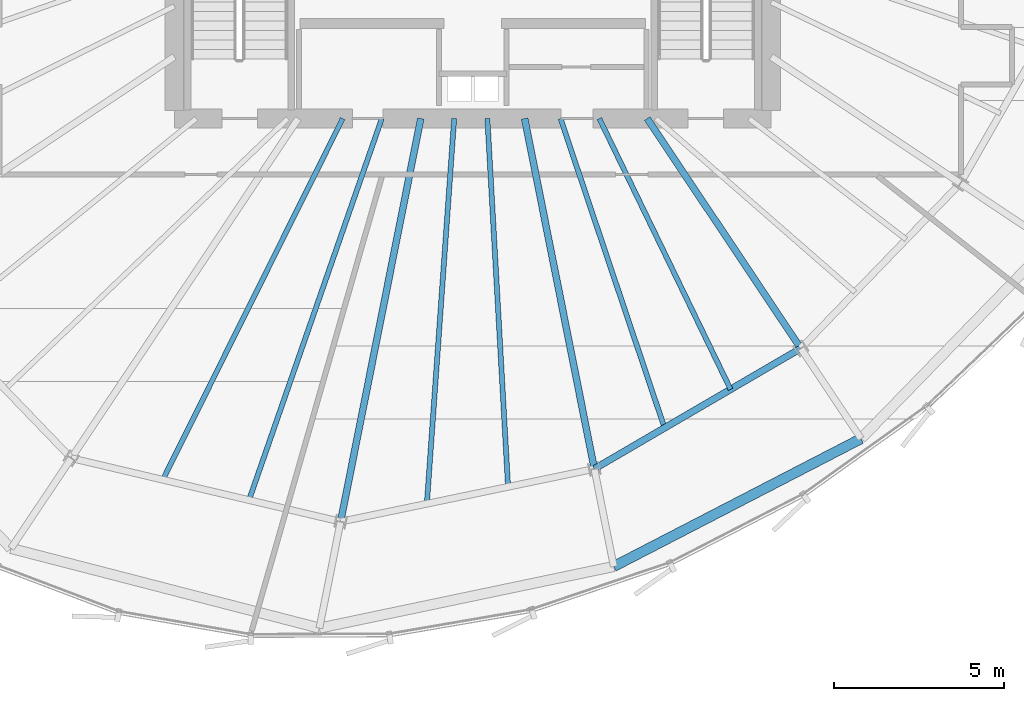
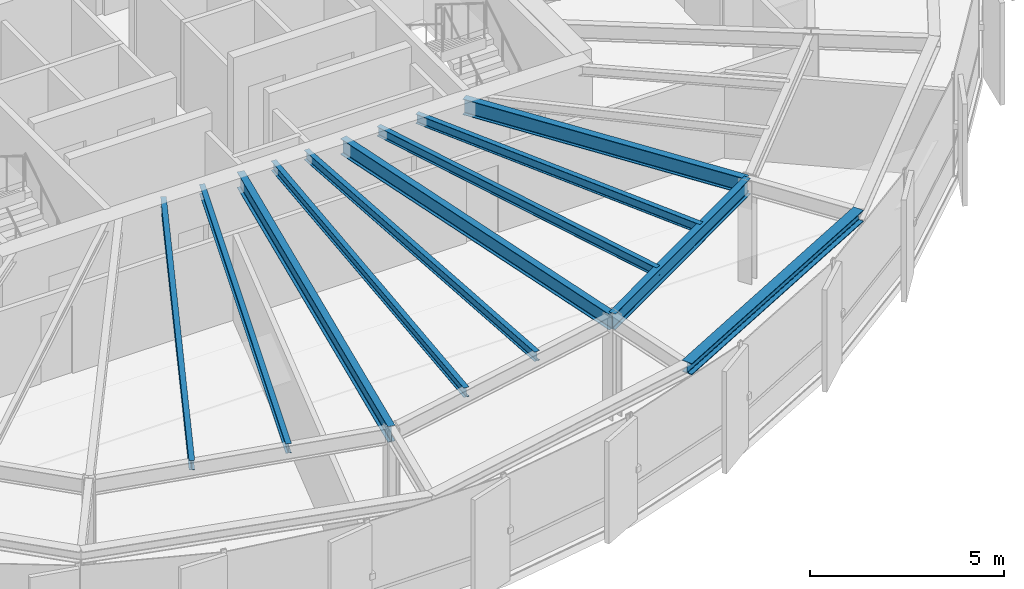
# One storey, part 8 of 35: 11 beams.
"""IFC4 building model written with IfcOpenShell, lengths in metres."""

from ifc_helpers import new_model, si_unit, direction, frame, origin, origin_2d, place, context, subcontext, project, spatial, i_section, extrude, source, transform, mapped, material, material_profile, profile_set, type_object, element, save


model = new_model("IFC4")

# Units and contexts
model_context = context("Model", 3, precision=1e-05, world=origin(), true_north=direction((0.0, 1.0)))
body_context = subcontext(model_context, "Body", "Model", "MODEL_VIEW")
ifc_project = project(units=[si_unit("LENGTHUNIT", "METRE"), si_unit("AREAUNIT", "SQUARE_METRE"), si_unit("VOLUMEUNIT", "CUBIC_METRE"), si_unit("PLANEANGLEUNIT", "RADIAN"), si_unit("MASSUNIT", "GRAM", prefix="KILO"), si_unit("THERMODYNAMICTEMPERATUREUNIT", "KELVIN")], contexts=[model_context])

# Site, building, storey
site_placement = place(None, origin())
site = spatial("IfcSite", under=ifc_project, at=site_placement, CompositionType="ELEMENT")
building_placement = place(site_placement, origin())
building = spatial("IfcBuilding", under=site, at=building_placement, Name="Kethvar Cultural Tower", CompositionType="ELEMENT")
storey_placement = place(building_placement, frame((0.0, 0.0, 193.89990234375)))
storey = spatial("IfcBuildingStorey", under=building, at=storey_placement, Name="L50", CompositionType="ELEMENT", Elevation=193.89990234375)

# Beams
ifc_material = material(Name="Steel S355J2", Category="steel")
ifc_material_profile_1 = material_profile(ifc_material, i_section(OverallWidth=0.199951171875, OverallDepth=0.5, WebThickness=0.01025390625, FlangeThickness=0.01611328125, FilletRadius=0.02099609375, at=origin_2d()), Name="Steel S355J2 — IPE500")
ifc_profile_set_1 = profile_set([ifc_material_profile_1], Name="Steel S355J2 — IPE500")
beam_type_1 = type_object("IfcBeamType", Name="BM-IPE500", PredefinedType="BEAM", material=ifc_profile_set_1)
shared_shape_1 = source(origin(), body_context, "Body", "SweptSolid", [
    extrude(i_section(OverallWidth=0.199951171875, OverallDepth=0.5, WebThickness=0.01025390625, FlangeThickness=0.01611328125, FilletRadius=0.02099609375, at=origin_2d()), origin(), (0.0, 0.0, 1.0), 12.1220703125),
])
beam_1_placement = place(storey_placement, frame((45.268310546875, 20.10009765625, 3.008056640625), z_axis=(-0.195078030057, -0.980787725346, 0.0), x_axis=(0.980787725346, -0.195078030057, 0.0)))
element("IfcBeam", 1, at=beam_1_placement, inside=storey, type_object=beam_type_1, Name="L50 Primary Radial Beam RB-12", PredefinedType="BEAM", context=body_context, shape_type="MappedRepresentation", body=[
    mapped(shared_shape_1, transform((0.0, 0.0, 0.0), scale=1.0)),
])
shared_shape_2 = source(origin(), body_context, "Body", "SweptSolid", [
    extrude(i_section(OverallWidth=0.199951171875, OverallDepth=0.5, WebThickness=0.01025390625, FlangeThickness=0.01611328125, FilletRadius=0.02099609375, at=origin_2d()), origin(), (0.0, 0.0, 1.0), 10.533935546875),
])
beam_2_placement = place(storey_placement, frame((48.33154296875, 20.10009765625, 3.008056640625), z_axis=(0.19509982917, -0.980783389265, 0.0), x_axis=(0.980783389265, 0.19509982917, 0.0)))
element("IfcBeam", 2, at=beam_2_placement, inside=storey, type_object=beam_type_1, Name="L50 Primary Radial Beam RB-13", PredefinedType="BEAM", context=body_context, shape_type="MappedRepresentation", body=[
    mapped(shared_shape_2, transform((0.0, 0.0, 0.0), scale=1.0)),
])
shared_shape_3 = source(origin(), body_context, "Body", "SweptSolid", [
    extrude(i_section(OverallWidth=0.199951171875, OverallDepth=0.5, WebThickness=0.01025390625, FlangeThickness=0.01611328125, FilletRadius=0.02099609375, at=origin_2d()), origin(), (0.0, 0.0, 1.0), 8.1533203125),
])
beam_3_placement = place(storey_placement, frame((51.945068359375, 20.10009765625, 3.008056640625), z_axis=(0.555549853936, -0.831483228809, 0.0), x_axis=(0.831483228809, 0.555549853936, 0.0)))
element("IfcBeam", 3, at=beam_3_placement, inside=storey, type_object=beam_type_1, Name="L50 Primary Radial Beam RB-14", PredefinedType="BEAM", context=body_context, shape_type="MappedRepresentation", body=[
    mapped(shared_shape_3, transform((0.0, 0.0, 0.0), scale=1.0)),
])
ifc_material_profile_2 = material_profile(ifc_material, i_section(OverallWidth=0.14990234375, OverallDepth=0.300048828125, WebThickness=0.007080078125, FlangeThickness=0.0107421875, FilletRadius=0.014892578125, at=origin_2d()), Name="Steel S355J2 — IPE300")
ifc_profile_set_2 = profile_set([ifc_material_profile_2], Name="Steel S355J2 — IPE300")
beam_type_2 = type_object("IfcBeamType", Name="BM-J300", PredefinedType="JOIST", material=ifc_profile_set_2)
shared_shape_4 = source(origin(), body_context, "Body", "SweptSolid", [
    extrude(i_section(OverallWidth=0.14990234375, OverallDepth=0.300048828125, WebThickness=0.007080078125, FlangeThickness=0.0107421875, FilletRadius=0.014892578125, at=origin_2d()), origin(), (0.0, 0.0, 1.0), 11.900146484375),
])
beam_4_placement = place(storey_placement, frame((42.96630859375, 20.10009765625, 3.108154296875), z_axis=(-0.445686564233, -0.89518907861, 0.0), x_axis=(0.89518907861, -0.445686564233, 0.0)))
element("IfcBeam", 4, at=beam_4_placement, inside=storey, type_object=beam_type_2, Name="L50 Composite Floor Joist J-11A", PredefinedType="JOIST", context=body_context, shape_type="MappedRepresentation", body=[
    mapped(shared_shape_4, transform((0.0, 0.0, 0.0), scale=1.0)),
])
shared_shape_5 = source(origin(), body_context, "Body", "SweptSolid", [
    extrude(i_section(OverallWidth=0.14990234375, OverallDepth=0.300048828125, WebThickness=0.007080078125, FlangeThickness=0.0107421875, FilletRadius=0.014892578125, at=origin_2d()), origin(), (0.0, 0.0, 1.0), 11.914306640625),
])
beam_5_placement = place(storey_placement, frame((44.1201171875, 20.10009765625, 3.108154296875), z_axis=(-0.328722490218, -0.944426558513, 0.0), x_axis=(0.944426558513, -0.328722490218, 0.0)))
element("IfcBeam", 5, at=beam_5_placement, inside=storey, type_object=beam_type_2, Name="L50 Composite Floor Joist J-11B", PredefinedType="JOIST", context=body_context, shape_type="MappedRepresentation", body=[
    mapped(shared_shape_5, transform((0.0, 0.0, 0.0), scale=1.0)),
])
shared_shape_6 = source(origin(), body_context, "Body", "SweptSolid", [
    extrude(i_section(OverallWidth=0.14990234375, OverallDepth=0.300048828125, WebThickness=0.007080078125, FlangeThickness=0.0107421875, FilletRadius=0.014892578125, at=origin_2d()), origin(), (0.0, 0.0, 1.0), 11.38818359375),
])
beam_6_placement = place(storey_placement, frame((46.253662109375, 20.10009765625, 3.108154296875), z_axis=(-0.070767133242, -0.99749286356, 0.0), x_axis=(0.99749286356, -0.070767133242, 0.0)))
element("IfcBeam", 6, at=beam_6_placement, inside=storey, type_object=beam_type_2, Name="L50 Composite Floor Joist J-12A", PredefinedType="JOIST", context=body_context, shape_type="MappedRepresentation", body=[
    mapped(shared_shape_6, transform((0.0, 0.0, 0.0), scale=1.0)),
])
shared_shape_7 = source(origin(), body_context, "Body", "SweptSolid", [
    extrude(i_section(OverallWidth=0.14990234375, OverallDepth=0.300048828125, WebThickness=0.007080078125, FlangeThickness=0.0107421875, FilletRadius=0.014892578125, at=origin_2d()), origin(), (0.0, 0.0, 1.0), 10.878173828125),
])
beam_7_placement = place(storey_placement, frame((47.232421875, 20.10009765625, 3.108154296875), z_axis=(0.056062922639, -0.998427237562, 0.0), x_axis=(0.998427237562, 0.056062922639, 0.0)))
element("IfcBeam", 7, at=beam_7_placement, inside=storey, type_object=beam_type_2, Name="L50 Composite Floor Joist J-12B", PredefinedType="JOIST", context=body_context, shape_type="MappedRepresentation", body=[
    mapped(shared_shape_7, transform((0.0, 0.0, 0.0), scale=1.0)),
])
shared_shape_8 = source(origin(), body_context, "Body", "SweptSolid", [
    extrude(i_section(OverallWidth=0.199951171875, OverallDepth=0.5, WebThickness=0.01025390625, FlangeThickness=0.01611328125, FilletRadius=0.02099609375, at=origin_2d()), origin(), (0.0, 0.0, 1.0), 7.048583984375),
])
beam_8_placement = place(storey_placement, frame((50.38671875, 9.7685546875, 3.008056640625), z_axis=(0.863718593305, 0.503974395757, 0.0), x_axis=(-0.503974395757, 0.863718593305, 0.0)))
element("IfcBeam", 8, at=beam_8_placement, inside=storey, type_object=beam_type_1, Name="L50 Column Ring Tie Beam CR-13", PredefinedType="BEAM", context=body_context, shape_type="MappedRepresentation", body=[
    mapped(shared_shape_8, transform((0.0, 0.0, 0.0), scale=1.0)),
])
shared_shape_9 = source(origin(), body_context, "Body", "SweptSolid", [
    extrude(i_section(OverallWidth=0.14990234375, OverallDepth=0.300048828125, WebThickness=0.007080078125, FlangeThickness=0.0107421875, FilletRadius=0.014892578125, at=origin_2d()), origin(), (0.0, 0.0, 1.0), 9.625732421875),
])
beam_9_placement = place(storey_placement, frame((49.388916015625, 20.10009765625, 3.108154296875), z_axis=(0.31869202774, -0.947858318239, 0.0), x_axis=(0.947858318239, 0.31869202774, 0.0)))
element("IfcBeam", 9, at=beam_9_placement, inside=storey, type_object=beam_type_2, Name="L50 Composite Floor Joist J-13A", PredefinedType="JOIST", context=body_context, shape_type="MappedRepresentation", body=[
    mapped(shared_shape_9, transform((0.0, 0.0, 0.0), scale=1.0)),
])
shared_shape_10 = source(origin(), body_context, "Body", "SweptSolid", [
    extrude(i_section(OverallWidth=0.14990234375, OverallDepth=0.300048828125, WebThickness=0.007080078125, FlangeThickness=0.0107421875, FilletRadius=0.014892578125, at=origin_2d()), origin(), (0.0, 0.0, 1.0), 8.8759765625),
])
beam_10_placement = place(storey_placement, frame((50.532958984375, 20.10009765625, 3.108154296875), z_axis=(0.436210743691, -0.899844534955, 0.0), x_axis=(0.899844534955, 0.436210743691, 0.0)))
element("IfcBeam", 10, at=beam_10_placement, inside=storey, type_object=beam_type_2, Name="L50 Composite Floor Joist J-13B", PredefinedType="JOIST", context=body_context, shape_type="MappedRepresentation", body=[
    mapped(shared_shape_10, transform((0.0, 0.0, 0.0), scale=1.0)),
])
ifc_material_profile_3 = material_profile(ifc_material, i_section(OverallWidth=0.300048828125, OverallDepth=0.360107421875, WebThickness=0.012451171875, FlangeThickness=0.0224609375, FilletRadius=0.027099609375, at=origin_2d()), Name="Steel S355J2 — HEB360")
ifc_profile_set_3 = profile_set([ifc_material_profile_3], Name="Steel S355J2 — HEB360")
beam_type_3 = type_object("IfcBeamType", Name="BM-SP360", PredefinedType="SPANDREL", material=ifc_profile_set_3)
shared_shape_11 = source(origin(), body_context, "Body", "SweptSolid", [
    extrude(i_section(OverallWidth=0.300048828125, OverallDepth=0.360107421875, WebThickness=0.012451171875, FlangeThickness=0.0224609375, FilletRadius=0.027099609375, at=origin_2d()), origin(), (0.0, 0.0, 1.0), 8.2099609375),
])
beam_11_placement = place(storey_placement, frame((50.959228515625, 6.89013671875, 3.078125), z_axis=(0.888333522254, 0.459198816679, 0.0), x_axis=(-0.459198816679, 0.888333522254, 0.0)))
element("IfcBeam", 11, at=beam_11_placement, inside=storey, type_object=beam_type_3, Name="L50 Perimeter Spandrel Beam SP-13", PredefinedType="SPANDREL", context=body_context, shape_type="MappedRepresentation", body=[
    mapped(shared_shape_11, transform((0.0, 0.0, 0.0), scale=1.0)),
])

save(model, "model.ifc")
